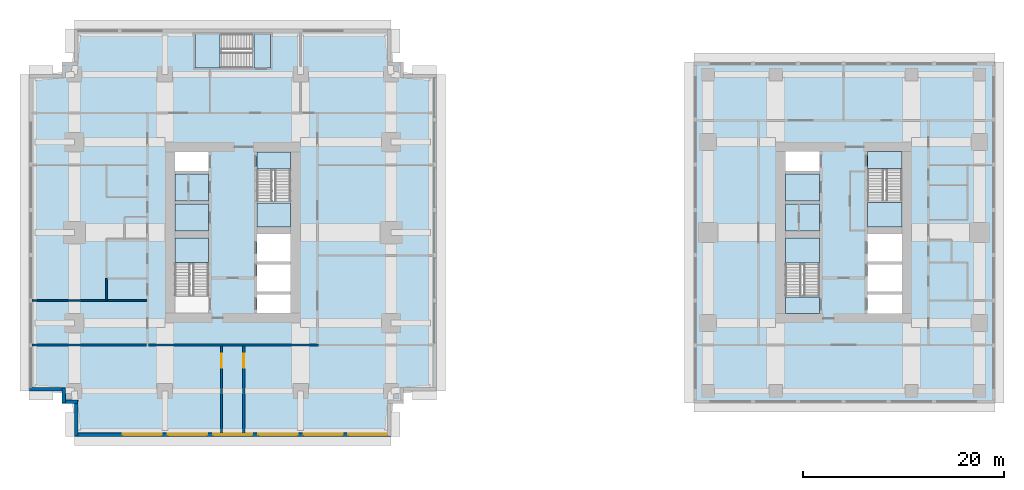
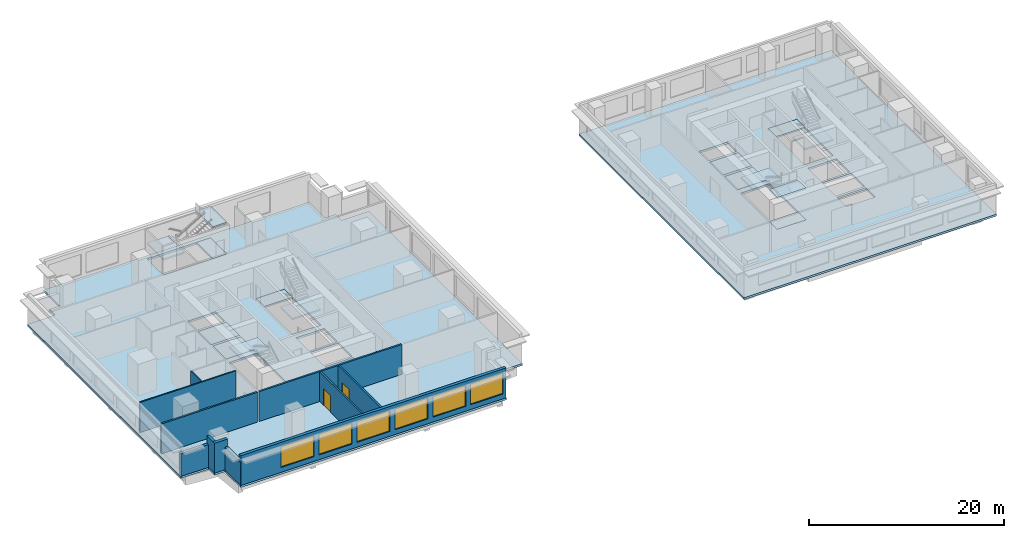
# One storey, part 2 of 10: 17 slabs, 11 walls, 6 windows, 2 doors, 8 openings, 5 elements without a shape of their own.
"""IFC4 building model written with IfcOpenShell, lengths in metres."""

from ifc_helpers import new_model, si_unit, direction, frame, frame_2d, origin, place, context, subcontext, project, spatial, polyline, rectangle, outline, extrude, material, layer, layer_set, type_object, element, fill, aggregate, save


model = new_model("IFC4")

# Units and contexts
model_context = context("Model", 3, precision=1e-05, world=origin(), true_north=direction((0.0, 1.0)))
body_context = subcontext(model_context, "Body", "Model", "MODEL_VIEW")
ifc_project = project(units=[si_unit("LENGTHUNIT", "METRE"), si_unit("AREAUNIT", "SQUARE_METRE"), si_unit("VOLUMEUNIT", "CUBIC_METRE"), si_unit("PLANEANGLEUNIT", "RADIAN"), si_unit("MASSUNIT", "GRAM", prefix="KILO")], contexts=[model_context])

# Site, building, storey
site_placement = place(None, origin())
site = spatial("IfcSite", under=ifc_project, at=site_placement, CompositionType="ELEMENT")
building_placement = place(site_placement, origin())
building = spatial("IfcBuilding", under=site, at=building_placement, Name="Namib Vertical Campus", CompositionType="ELEMENT")
storey_placement = place(building_placement, frame((0.0, 0.0, 229.0)))
storey = spatial("IfcBuildingStorey", under=building, at=storey_placement, Name="L54", CompositionType="ELEMENT", Elevation=229.0)

# Slabs
ifc_material_1 = material(Name="Concrete C40/50", Category="concrete")
ifc_layer_1 = layer(ifc_material_1, 0.25)
ifc_layer_set_1 = layer_set([ifc_layer_1], Name="Concrete C40/50")
slab_type_1 = type_object("IfcSlabType", Name="Floor slab 250", PredefinedType="FLOOR", material=ifc_layer_set_1)
slab_1_placement = place(storey_placement, frame((0.0, 0.0, -0.25)))
element("IfcSlab", 1, at=slab_1_placement, inside=storey, type_object=slab_type_1, Name="Floor slab A L54", PredefinedType="FLOOR", context=body_context, shape_type="SweptSolid", body=[
    extrude(outline(polyline([(4.5, 0.0), (36.0, 0.0), (36.0, 3.27490234375), (37.22509765625, 3.27490234375), (37.22509765625, 4.5), (40.5, 4.5), (40.5, 36.0), (37.22509765625, 36.0), (37.22509765625, 37.22509765625), (36.0, 37.22509765625), (36.0, 40.5), (4.5, 40.5), (4.5, 37.22509765625), (3.27490234375, 37.22509765625), (3.27490234375, 36.0), (0.0, 36.0), (0.0, 4.5), (3.27490234375, 4.5), (3.27490234375, 3.27490234375), (4.5, 3.27490234375), (4.5, 0.0)]), holes=[polyline([(14.5, 12.25), (17.85009765625, 12.25), (17.85009765625, 19.699951171875), (14.5, 19.699951171875), (14.5, 12.25)]), polyline([(22.64990234375, 20.800048828125), (26.0, 20.800048828125), (26.0, 28.25), (22.64990234375, 28.25), (22.64990234375, 20.800048828125)]), polyline([(22.64990234375, 12.25), (26.0, 12.25), (26.0, 14.10009765625), (22.64990234375, 14.10009765625), (22.64990234375, 12.25)]), polyline([(14.5, 20.39990234375), (17.85009765625, 20.39990234375), (17.85009765625, 23.10009765625), (14.5, 23.10009765625), (14.5, 20.39990234375)]), polyline([(14.5, 23.39990234375), (17.85009765625, 23.39990234375), (17.85009765625, 26.10009765625), (14.5, 26.10009765625), (14.5, 23.39990234375)]), polyline([(14.5, 26.39990234375), (17.85009765625, 26.39990234375), (17.85009765625, 28.25), (14.5, 28.25), (14.5, 26.39990234375)]), polyline([(22.64990234375, 14.39990234375), (26.0, 14.39990234375), (26.0, 17.10009765625), (22.64990234375, 17.10009765625), (22.64990234375, 14.39990234375)]), polyline([(22.64990234375, 17.39990234375), (26.0, 17.39990234375), (26.0, 20.10009765625), (22.64990234375, 20.10009765625), (22.64990234375, 17.39990234375)]), polyline([(16.5, 36.64990234375), (24.0, 36.64990234375), (24.0, 40.0), (16.5, 40.0), (16.5, 36.64990234375)])]), origin(), (0.0, 0.0, 1.0), 0.25),
])
slab_2_placement = place(storey_placement, frame((0.0, 0.0, -0.25)))
element("IfcSlab", 2, at=slab_2_placement, inside=storey, type_object=slab_type_1, Name="Floor slab B L54", PredefinedType="FLOOR", context=body_context, shape_type="SweptSolid", body=[
    extrude(outline(polyline([(66.10009765625, 3.300048828125), (96.050048828125, 3.300048828125), (96.050048828125, 37.199951171875), (66.10009765625, 37.199951171875), (66.10009765625, 3.300048828125)]), holes=[polyline([(75.199951171875, 12.199951171875), (78.60009765625, 12.199951171875), (78.60009765625, 19.699951171875), (75.199951171875, 19.699951171875), (75.199951171875, 12.199951171875)]), polyline([(83.39990234375, 20.800048828125), (86.800048828125, 20.800048828125), (86.800048828125, 28.300048828125), (83.39990234375, 28.300048828125), (83.39990234375, 20.800048828125)]), polyline([(83.39990234375, 12.199951171875), (86.800048828125, 12.199951171875), (86.800048828125, 14.10009765625), (83.39990234375, 14.10009765625), (83.39990234375, 12.199951171875)]), polyline([(75.199951171875, 20.39990234375), (78.60009765625, 20.39990234375), (78.60009765625, 23.10009765625), (75.199951171875, 23.10009765625), (75.199951171875, 20.39990234375)]), polyline([(75.199951171875, 23.39990234375), (78.60009765625, 23.39990234375), (78.60009765625, 26.10009765625), (75.199951171875, 26.10009765625), (75.199951171875, 23.39990234375)]), polyline([(75.199951171875, 26.39990234375), (78.60009765625, 26.39990234375), (78.60009765625, 28.300048828125), (75.199951171875, 28.300048828125), (75.199951171875, 26.39990234375)]), polyline([(83.39990234375, 14.39990234375), (86.800048828125, 14.39990234375), (86.800048828125, 17.10009765625), (83.39990234375, 17.10009765625), (83.39990234375, 14.39990234375)]), polyline([(83.39990234375, 17.39990234375), (86.800048828125, 17.39990234375), (86.800048828125, 20.10009765625), (83.39990234375, 20.10009765625), (83.39990234375, 17.39990234375)])]), origin(), (0.0, 0.0, 1.0), 0.25),
])
ifc_material_2 = material(Name="Concrete C40/50 precast", Category="concrete")
ifc_layer_2 = layer(ifc_material_2, 0.25)
ifc_layer_set_2 = layer_set([ifc_layer_2], Name="Concrete C40/50 precast")
slab_type_2 = type_object("IfcSlabType", Name="Shaft infill floor 250", PredefinedType="FLOOR", material=ifc_layer_set_2)
slab_3_placement = place(storey_placement, frame((0.0, 0.0, -0.25)))
element("IfcSlab", 3, at=slab_3_placement, inside=storey, type_object=slab_type_2, Name="Shaft infill floor A L54 P1", PredefinedType="FLOOR", context=body_context, shape_type="SweptSolid", body=[
    extrude(outline(polyline([(14.5, 20.39990234375), (17.85009765625, 20.39990234375), (17.85009765625, 23.10009765625), (14.5, 23.10009765625), (14.5, 20.39990234375)])), origin(), (0.0, 0.0, 1.0), 0.25),
])
slab_4_placement = place(storey_placement, frame((0.0, 0.0, -0.25)))
element("IfcSlab", 4, at=slab_4_placement, inside=storey, type_object=slab_type_2, Name="Shaft infill floor A L54 P2", PredefinedType="FLOOR", context=body_context, shape_type="SweptSolid", body=[
    extrude(outline(polyline([(14.5, 23.39990234375), (17.85009765625, 23.39990234375), (17.85009765625, 26.10009765625), (14.5, 26.10009765625), (14.5, 23.39990234375)])), origin(), (0.0, 0.0, 1.0), 0.25),
])
slab_5_placement = place(storey_placement, frame((0.0, 0.0, -0.25)))
element("IfcSlab", 5, at=slab_5_placement, inside=storey, type_object=slab_type_2, Name="Shaft infill floor B L54 P1", PredefinedType="FLOOR", context=body_context, shape_type="SweptSolid", body=[
    extrude(outline(polyline([(75.199951171875, 20.39990234375), (78.60009765625, 20.39990234375), (78.60009765625, 23.10009765625), (75.199951171875, 23.10009765625), (75.199951171875, 20.39990234375)])), origin(), (0.0, 0.0, 1.0), 0.25),
])
slab_6_placement = place(storey_placement, frame((0.0, 0.0, -0.25)))
element("IfcSlab", 6, at=slab_6_placement, inside=storey, type_object=slab_type_2, Name="Shaft infill floor B L54 P2", PredefinedType="FLOOR", context=body_context, shape_type="SweptSolid", body=[
    extrude(outline(polyline([(75.199951171875, 23.39990234375), (78.60009765625, 23.39990234375), (78.60009765625, 26.10009765625), (75.199951171875, 26.10009765625), (75.199951171875, 23.39990234375)])), origin(), (0.0, 0.0, 1.0), 0.25),
])

# Stair, slab
ifc_material_3 = material(Name="Concrete C40/50 precast", Category="concrete")
stair_type_1 = type_object("IfcStairType", Name="Exit stair 4000 rise 24 risers 3350 wide", PredefinedType="HALF_TURN_STAIR", material=ifc_material_3)
stair_1_placement = place(storey_placement, origin())
stair_1 = element("IfcStair", 7, at=stair_1_placement, inside=storey, type_object=stair_type_1, Name="Exit stair A-S1 L54", PredefinedType="HALF_TURN_STAIR")
ifc_material_4 = material(Name="Concrete C40/50", Category="concrete")
ifc_layer_3 = layer(ifc_material_4, 0.199951171875)
ifc_layer_set_3 = layer_set([ifc_layer_3], Name="Concrete C40/50")
slab_type_3 = type_object("IfcSlabType", Name="Stair landing 200", PredefinedType="LANDING", material=ifc_layer_set_3)
slab_7_placement = place(storey_placement, frame((0.0, 0.0, 1.800048828125)))
slab_7 = element("IfcSlab", 8, at=slab_7_placement, type_object=slab_type_3, Name="A-S1 landing 2", PredefinedType="LANDING", context=body_context, shape_type="SweptSolid", body=[
    extrude(outline(polyline([(14.5, 17.276123046875), (17.85009765625, 17.276123046875), (17.85009765625, 19.699951171875), (14.5, 19.699951171875), (14.5, 17.276123046875)])), origin(), (0.0, 0.0, 1.0), 0.199951171875),
])
aggregate(stair_1, [slab_7])

# Stair, slabs
stair_2_placement = place(storey_placement, origin())
stair_2 = element("IfcStair", 9, at=stair_2_placement, inside=storey, type_object=stair_type_1, Name="Exit stair A-S2 L54", PredefinedType="HALF_TURN_STAIR")
slab_8_placement = place(storey_placement, frame((0.0, 0.0, -0.199951171875)))
slab_8 = element("IfcSlab", 10, at=slab_8_placement, type_object=slab_type_3, Name="A-S2 landing 1", PredefinedType="LANDING", context=body_context, shape_type="SweptSolid", body=[
    extrude(outline(polyline([(22.64990234375, 26.59619140625), (26.0, 26.59619140625), (26.0, 28.25), (22.64990234375, 28.25), (22.64990234375, 26.59619140625)])), origin(), (0.0, 0.0, 1.0), 0.199951171875),
])
slab_9_placement = place(storey_placement, frame((0.0, 0.0, 1.800048828125)))
slab_9 = element("IfcSlab", 11, at=slab_9_placement, type_object=slab_type_3, Name="A-S2 landing 2", PredefinedType="LANDING", context=body_context, shape_type="SweptSolid", body=[
    extrude(outline(polyline([(22.64990234375, 20.800048828125), (26.0, 20.800048828125), (26.0, 23.223876953125), (22.64990234375, 23.223876953125), (22.64990234375, 20.800048828125)])), origin(), (0.0, 0.0, 1.0), 0.199951171875),
])
aggregate(stair_2, [slab_8, slab_9])

ifc_material_5 = material(Name="Concrete C40/50 precast", Category="concrete")
stair_type_2 = type_object("IfcStairType", Name="Exit stair 4000 rise 24 risers 3400 wide", PredefinedType="HALF_TURN_STAIR", material=ifc_material_5)
stair_3_placement = place(storey_placement, origin())
stair_3 = element("IfcStair", 12, at=stair_3_placement, inside=storey, type_object=stair_type_2, Name="Exit stair B-S1 L54", PredefinedType="HALF_TURN_STAIR")
slab_10_placement = place(storey_placement, frame((0.0, 0.0, -0.199951171875)))
slab_10 = element("IfcSlab", 13, at=slab_10_placement, type_object=slab_type_3, Name="B-S1 landing 1", PredefinedType="LANDING", context=body_context, shape_type="SweptSolid", body=[
    extrude(outline(polyline([(75.199951171875, 12.199951171875), (78.60009765625, 12.199951171875), (78.60009765625, 13.85400390625), (75.199951171875, 13.85400390625), (75.199951171875, 12.199951171875)])), origin(), (0.0, 0.0, 1.0), 0.199951171875),
])
slab_11_placement = place(storey_placement, frame((0.0, 0.0, 1.800048828125)))
slab_11 = element("IfcSlab", 14, at=slab_11_placement, type_object=slab_type_3, Name="B-S1 landing 2", PredefinedType="LANDING", context=body_context, shape_type="SweptSolid", body=[
    extrude(outline(polyline([(75.199951171875, 17.22607421875), (78.60009765625, 17.22607421875), (78.60009765625, 19.699951171875), (75.199951171875, 19.699951171875), (75.199951171875, 17.22607421875)])), origin(), (0.0, 0.0, 1.0), 0.199951171875),
])
slab_12_placement = place(storey_placement, frame((0.0, 0.0, 3.800048828125)))
slab_12 = element("IfcSlab", 15, at=slab_12_placement, type_object=slab_type_3, Name="B-S1 landing 3", PredefinedType="LANDING", context=body_context, shape_type="SweptSolid", body=[
    extrude(outline(polyline([(75.199951171875, 12.199951171875), (78.60009765625, 12.199951171875), (78.60009765625, 13.85400390625), (75.199951171875, 13.85400390625), (75.199951171875, 12.199951171875)])), origin(), (0.0, 0.0, 1.0), 0.199951171875),
])
aggregate(stair_3, [slab_10, slab_11, slab_12])

stair_4_placement = place(storey_placement, origin())
stair_4 = element("IfcStair", 16, at=stair_4_placement, inside=storey, type_object=stair_type_2, Name="Exit stair B-S2 L54", PredefinedType="HALF_TURN_STAIR")
slab_13_placement = place(storey_placement, frame((0.0, 0.0, -0.199951171875)))
slab_13 = element("IfcSlab", 17, at=slab_13_placement, type_object=slab_type_3, Name="B-S2 landing 1", PredefinedType="LANDING", context=body_context, shape_type="SweptSolid", body=[
    extrude(outline(polyline([(83.39990234375, 26.64599609375), (86.800048828125, 26.64599609375), (86.800048828125, 28.300048828125), (83.39990234375, 28.300048828125), (83.39990234375, 26.64599609375)])), origin(), (0.0, 0.0, 1.0), 0.199951171875),
])
slab_14_placement = place(storey_placement, frame((0.0, 0.0, 1.800048828125)))
slab_14 = element("IfcSlab", 18, at=slab_14_placement, type_object=slab_type_3, Name="B-S2 landing 2", PredefinedType="LANDING", context=body_context, shape_type="SweptSolid", body=[
    extrude(outline(polyline([(83.39990234375, 20.800048828125), (86.800048828125, 20.800048828125), (86.800048828125, 23.27392578125), (83.39990234375, 23.27392578125), (83.39990234375, 20.800048828125)])), origin(), (0.0, 0.0, 1.0), 0.199951171875),
])
aggregate(stair_4, [slab_13, slab_14])

stair_5_placement = place(storey_placement, origin())
stair_5 = element("IfcStair", 19, at=stair_5_placement, inside=storey, type_object=stair_type_1, Name="Exit stair A-S3 L54", PredefinedType="HALF_TURN_STAIR")
slab_15_placement = place(storey_placement, frame((0.0, 0.0, -0.199951171875)))
slab_15 = element("IfcSlab", 20, at=slab_15_placement, type_object=slab_type_3, Name="A-S3 landing 1", PredefinedType="LANDING", context=body_context, shape_type="SweptSolid", body=[
    extrude(outline(polyline([(22.34619140625, 36.64990234375), (22.34619140625, 40.0), (24.0, 40.0), (24.0, 36.64990234375), (22.34619140625, 36.64990234375)])), origin(), (0.0, 0.0, 1.0), 0.199951171875),
])
slab_16_placement = place(storey_placement, frame((0.0, 0.0, 1.800048828125)))
slab_16 = element("IfcSlab", 21, at=slab_16_placement, type_object=slab_type_3, Name="A-S3 landing 2", PredefinedType="LANDING", context=body_context, shape_type="SweptSolid", body=[
    extrude(outline(polyline([(16.5, 36.64990234375), (16.5, 40.0), (18.973876953125, 40.0), (18.973876953125, 36.64990234375), (16.5, 36.64990234375)])), origin(), (0.0, 0.0, 1.0), 0.199951171875),
])
slab_17_placement = place(storey_placement, frame((0.0, 0.0, 3.800048828125)))
slab_17 = element("IfcSlab", 22, at=slab_17_placement, type_object=slab_type_3, Name="A-S3 landing 3", PredefinedType="LANDING", context=body_context, shape_type="SweptSolid", body=[
    extrude(outline(polyline([(22.34619140625, 36.64990234375), (22.34619140625, 40.0), (24.0, 40.0), (24.0, 36.64990234375), (22.34619140625, 36.64990234375)])), origin(), (0.0, 0.0, 1.0), 0.199951171875),
])
aggregate(stair_5, [slab_15, slab_16, slab_17])

# Wall
ifc_material_6 = material(Name="Concrete masonry", Category="masonry")
ifc_layer_4 = layer(ifc_material_6, 0.199951171875)
ifc_layer_set_4 = layer_set([ifc_layer_4], Name="Corridor wall 200")
wall_type_1 = type_object("IfcWallType", Name="Corridor wall 200", PredefinedType="SOLIDWALL", material=ifc_layer_set_4)
wall_1_placement = place(storey_placement, frame((11.89990234375, 9.10009765625, 0.0), z_axis=(0.0, 0.0, 1.0), x_axis=(1.0, 0.0, 0.0)))
element("IfcWall", 23, at=wall_1_placement, inside=storey, type_object=wall_type_1, Name="Corridor wall A L54 CS", PredefinedType="SOLIDWALL", context=body_context, shape_type="SweptSolid", body=[
    extrude(rectangle(XDim=16.900146484375, YDim=0.199951171875, at=frame_2d((8.4501953125, 0.0))), origin(), (0.0, 0.0, 1.0), 3.75),
])

# Wall, opening, door
wall_2_placement = place(storey_placement, frame((19.14990234375, 0.300048828125, 0.0), z_axis=(0.0, 0.0, 1.0), x_axis=(0.0, 1.0, 0.0)))
wall_2 = element("IfcWall", 24, at=wall_2_placement, inside=storey, type_object=wall_type_1, Name="Corridor wall A L54 SPS1", PredefinedType="SOLIDWALL", context=body_context, shape_type="SweptSolid", body=[
    extrude(rectangle(XDim=8.699951171875, YDim=0.199951171875, at=frame_2d((4.35009765625, 0.0))), origin(), (0.0, 0.0, 1.0), 3.75),
])
opening_1_placement = place(wall_2_placement, frame((6.5, 0.0, 0.0)))
opening_1 = element("IfcOpeningElement", 25, at=opening_1_placement, cuts=wall_2, Name="Opening LB1", PredefinedType="OPENING", context=body_context, shape_type="SweptSolid", body=[
    extrude(rectangle(XDim=1.39990234375, YDim=2.10009765625, at=frame_2d((0.699951171875, 1.050048828125))), frame((0.0, 0.10986328125, 0.0), z_axis=(0.0, -1.0, 0.0), x_axis=(1.0, 0.0, 0.0)), (0.0, 0.0, 1.0), 0.219970703125),
])
ifc_material_7 = material(Name="Timber fire door leaf", Category="wood")
door_type = type_object("IfcDoorType", Name="Laboratory door 1400x2100 leaf and a half", OperationType="DOUBLE_DOOR_SINGLE_SWING", PredefinedType="DOOR", material=ifc_material_7)
door_1_placement = place(opening_1_placement, origin())
door_1 = element("IfcDoor", 26, at=door_1_placement, inside=storey, type_object=door_type, Name="Door LB1 A54-01", OperationType="DOUBLE_DOOR_SINGLE_SWING", OverallHeight=2.10009765625, OverallWidth=1.39990234375, PredefinedType="DOOR", context=body_context, shape_type="SweptSolid", body=[
    extrude(rectangle(XDim=1.39990234375, YDim=2.10009765625, at=frame_2d((0.699951171875, 1.050048828125))), frame((0.0, 0.02490234375, 0.0), z_axis=(0.0, -1.0, 0.0), x_axis=(1.0, 0.0, 0.0)), (0.0, 0.0, 1.0), 0.050048828125),
])
fill(opening_1, door_1)

wall_3_placement = place(storey_placement, frame((21.35009765625, 9.0, 0.0), z_axis=(0.0, 0.0, 1.0), x_axis=(0.0, -1.0, 0.0)))
wall_3 = element("IfcWall", 27, at=wall_3_placement, inside=storey, type_object=wall_type_1, Name="Corridor wall A L54 SPS2", PredefinedType="SOLIDWALL", context=body_context, shape_type="SweptSolid", body=[
    extrude(rectangle(XDim=8.699951171875, YDim=0.199951171875, at=frame_2d((4.35009765625, 0.0))), origin(), (0.0, 0.0, 1.0), 3.75),
])
opening_2_placement = place(wall_3_placement, frame((0.800048828125, 0.0, 0.0)))
opening_2 = element("IfcOpeningElement", 28, at=opening_2_placement, cuts=wall_3, Name="Opening LB1", PredefinedType="OPENING", context=body_context, shape_type="SweptSolid", body=[
    extrude(rectangle(XDim=1.39990234375, YDim=2.10009765625, at=frame_2d((0.699951171875, 1.050048828125))), frame((0.0, 0.10986328125, 0.0), z_axis=(0.0, -1.0, 0.0), x_axis=(1.0, 0.0, 0.0)), (0.0, 0.0, 1.0), 0.219970703125),
])
door_2_placement = place(opening_2_placement, origin())
door_2 = element("IfcDoor", 29, at=door_2_placement, inside=storey, type_object=door_type, Name="Door LB1 A54-02", OperationType="DOUBLE_DOOR_SINGLE_SWING", OverallHeight=2.10009765625, OverallWidth=1.39990234375, PredefinedType="DOOR", context=body_context, shape_type="SweptSolid", body=[
    extrude(rectangle(XDim=1.39990234375, YDim=2.10009765625, at=frame_2d((0.699951171875, 1.050048828125))), frame((0.0, 0.02490234375, 0.0), z_axis=(0.0, -1.0, 0.0), x_axis=(1.0, 0.0, 0.0)), (0.0, 0.0, 1.0), 0.050048828125),
])
fill(opening_2, door_2)

# Wall
wall_4_placement = place(storey_placement, frame((0.300048828125, 9.10009765625, 0.0), z_axis=(0.0, 0.0, 1.0), x_axis=(1.0, 0.0, 0.0)))
element("IfcWall", 30, at=wall_4_placement, inside=storey, type_object=wall_type_1, Name="Partition A L54 BSW", PredefinedType="SOLIDWALL", context=body_context, shape_type="SweptSolid", body=[
    extrude(rectangle(XDim=11.39990234375, YDim=0.199951171875, at=frame_2d((5.699951171875, 0.0))), origin(), (0.0, 0.0, 1.0), 3.75),
])

# Wall, openings, windows
ifc_material_8 = material(Name="Concrete C40/50", Category="concrete")
ifc_layer_5 = layer(ifc_material_8, 0.35009765625)
ifc_layer_set_5 = layer_set([ifc_layer_5], Name="Concrete C40/50")
wall_type_2 = type_object("IfcWallType", Name="External wall 350 bush-hammered concrete", PredefinedType="STANDARD", material=ifc_layer_set_5)
wall_5_placement = place(storey_placement, frame((4.52001953125, 0.175048828125, 0.0), z_axis=(0.0, 0.0, 1.0), x_axis=(1.0, 0.0, 0.0)))
wall_5 = element("IfcWall", 31, at=wall_5_placement, inside=storey, type_object=wall_type_2, Name="External wall L54 F01", PredefinedType="STANDARD", context=body_context, shape_type="SweptSolid", body=[
    extrude(rectangle(XDim=31.4599609375, YDim=0.35009765625, at=frame_2d((15.72998046875, 0.0))), origin(), (0.0, 0.0, 1.0), 3.75),
])
opening_3_placement = place(wall_5_placement, frame((4.780029296875, 0.0, 0.60009765625)))
opening_3 = element("IfcOpeningElement", 32, at=opening_3_placement, cuts=wall_5, Name="Opening W2", PredefinedType="OPENING", context=body_context, shape_type="SweptSolid", body=[
    extrude(rectangle(XDim=3.89990234375, YDim=2.60009765625, at=frame_2d((1.949951171875, 1.300048828125))), frame((0.0, 0.18505859375, 0.0), z_axis=(0.0, -1.0, 0.0), x_axis=(1.0, 0.0, 0.0)), (0.0, 0.0, 1.0), 0.3701171875),
])
opening_4_placement = place(wall_5_placement, frame((9.280029296875, 0.0, 0.60009765625)))
opening_4 = element("IfcOpeningElement", 33, at=opening_4_placement, cuts=wall_5, Name="Opening W2", PredefinedType="OPENING", context=body_context, shape_type="SweptSolid", body=[
    extrude(rectangle(XDim=3.89990234375, YDim=2.60009765625, at=frame_2d((1.949951171875, 1.300048828125))), frame((0.0, 0.18505859375, 0.0), z_axis=(0.0, -1.0, 0.0), x_axis=(1.0, 0.0, 0.0)), (0.0, 0.0, 1.0), 0.3701171875),
])
opening_5_placement = place(wall_5_placement, frame((13.780029296875, 0.0, 0.60009765625)))
opening_5 = element("IfcOpeningElement", 34, at=opening_5_placement, cuts=wall_5, Name="Opening W2", PredefinedType="OPENING", context=body_context, shape_type="SweptSolid", body=[
    extrude(rectangle(XDim=3.89990234375, YDim=2.60009765625, at=frame_2d((1.949951171875, 1.300048828125))), frame((0.0, 0.18505859375, 0.0), z_axis=(0.0, -1.0, 0.0), x_axis=(1.0, 0.0, 0.0)), (0.0, 0.0, 1.0), 0.3701171875),
])
opening_6_placement = place(wall_5_placement, frame((18.280029296875, 0.0, 0.60009765625)))
opening_6 = element("IfcOpeningElement", 35, at=opening_6_placement, cuts=wall_5, Name="Opening W2", PredefinedType="OPENING", context=body_context, shape_type="SweptSolid", body=[
    extrude(rectangle(XDim=3.89990234375, YDim=2.60009765625, at=frame_2d((1.949951171875, 1.300048828125))), frame((0.0, 0.18505859375, 0.0), z_axis=(0.0, -1.0, 0.0), x_axis=(1.0, 0.0, 0.0)), (0.0, 0.0, 1.0), 0.3701171875),
])
opening_7_placement = place(wall_5_placement, frame((22.780029296875, 0.0, 0.60009765625)))
opening_7 = element("IfcOpeningElement", 36, at=opening_7_placement, cuts=wall_5, Name="Opening W2", PredefinedType="OPENING", context=body_context, shape_type="SweptSolid", body=[
    extrude(rectangle(XDim=3.89990234375, YDim=2.60009765625, at=frame_2d((1.949951171875, 1.300048828125))), frame((0.0, 0.18505859375, 0.0), z_axis=(0.0, -1.0, 0.0), x_axis=(1.0, 0.0, 0.0)), (0.0, 0.0, 1.0), 0.3701171875),
])
opening_8_placement = place(wall_5_placement, frame((27.2099609375, 0.0, 0.60009765625)))
opening_8 = element("IfcOpeningElement", 37, at=opening_8_placement, cuts=wall_5, Name="Opening W2", PredefinedType="OPENING", context=body_context, shape_type="SweptSolid", body=[
    extrude(rectangle(XDim=3.89990234375, YDim=2.60009765625, at=frame_2d((1.949951171875, 1.300048828125))), frame((0.0, 0.18505859375, 0.0), z_axis=(0.0, -1.0, 0.0), x_axis=(1.0, 0.0, 0.0)), (0.0, 0.0, 1.0), 0.3701171875),
])
ifc_material_9 = material(Name="Dark tinted glass in black aluminium frame", Category="aluminium")
window_type = type_object("IfcWindowType", Name="Ribbon window 3900x2600", PartitioningType="SINGLE_PANEL", PredefinedType="WINDOW", material=ifc_material_9)
window_1_placement = place(opening_3_placement, origin())
window_1 = element("IfcWindow", 38, at=window_1_placement, inside=storey, type_object=window_type, Name="Window W2 L54 F01-2", OverallHeight=2.60009765625, OverallWidth=3.89990234375, PartitioningType="SINGLE_PANEL", PredefinedType="WINDOW", context=body_context, shape_type="SweptSolid", body=[
    extrude(rectangle(XDim=3.89990234375, YDim=2.60009765625, at=frame_2d((1.949951171875, 1.300048828125))), frame((0.0, 0.030029296875, 0.0), z_axis=(0.0, -1.0, 0.0), x_axis=(1.0, 0.0, 0.0)), (0.0, 0.0, 1.0), 0.06005859375),
])
fill(opening_3, window_1)
window_2_placement = place(opening_4_placement, origin())
window_2 = element("IfcWindow", 39, at=window_2_placement, inside=storey, type_object=window_type, Name="Window W2 L54 F01-3", OverallHeight=2.60009765625, OverallWidth=3.89990234375, PartitioningType="SINGLE_PANEL", PredefinedType="WINDOW", context=body_context, shape_type="SweptSolid", body=[
    extrude(rectangle(XDim=3.89990234375, YDim=2.60009765625, at=frame_2d((1.949951171875, 1.300048828125))), frame((0.0, 0.030029296875, 0.0), z_axis=(0.0, -1.0, 0.0), x_axis=(1.0, 0.0, 0.0)), (0.0, 0.0, 1.0), 0.06005859375),
])
fill(opening_4, window_2)
window_3_placement = place(opening_5_placement, origin())
window_3 = element("IfcWindow", 40, at=window_3_placement, inside=storey, type_object=window_type, Name="Window W2 L54 F01-4", OverallHeight=2.60009765625, OverallWidth=3.89990234375, PartitioningType="SINGLE_PANEL", PredefinedType="WINDOW", context=body_context, shape_type="SweptSolid", body=[
    extrude(rectangle(XDim=3.89990234375, YDim=2.60009765625, at=frame_2d((1.949951171875, 1.300048828125))), frame((0.0, 0.030029296875, 0.0), z_axis=(0.0, -1.0, 0.0), x_axis=(1.0, 0.0, 0.0)), (0.0, 0.0, 1.0), 0.06005859375),
])
fill(opening_5, window_3)
window_4_placement = place(opening_6_placement, origin())
window_4 = element("IfcWindow", 41, at=window_4_placement, inside=storey, type_object=window_type, Name="Window W2 L54 F01-5", OverallHeight=2.60009765625, OverallWidth=3.89990234375, PartitioningType="SINGLE_PANEL", PredefinedType="WINDOW", context=body_context, shape_type="SweptSolid", body=[
    extrude(rectangle(XDim=3.89990234375, YDim=2.60009765625, at=frame_2d((1.949951171875, 1.300048828125))), frame((0.0, 0.030029296875, 0.0), z_axis=(0.0, -1.0, 0.0), x_axis=(1.0, 0.0, 0.0)), (0.0, 0.0, 1.0), 0.06005859375),
])
fill(opening_6, window_4)
window_5_placement = place(opening_7_placement, origin())
window_5 = element("IfcWindow", 42, at=window_5_placement, inside=storey, type_object=window_type, Name="Window W2 L54 F01-6", OverallHeight=2.60009765625, OverallWidth=3.89990234375, PartitioningType="SINGLE_PANEL", PredefinedType="WINDOW", context=body_context, shape_type="SweptSolid", body=[
    extrude(rectangle(XDim=3.89990234375, YDim=2.60009765625, at=frame_2d((1.949951171875, 1.300048828125))), frame((0.0, 0.030029296875, 0.0), z_axis=(0.0, -1.0, 0.0), x_axis=(1.0, 0.0, 0.0)), (0.0, 0.0, 1.0), 0.06005859375),
])
fill(opening_7, window_5)
window_6_placement = place(opening_8_placement, origin())
window_6 = element("IfcWindow", 43, at=window_6_placement, inside=storey, type_object=window_type, Name="Window W2 L54 F01-7", OverallHeight=2.60009765625, OverallWidth=3.89990234375, PartitioningType="SINGLE_PANEL", PredefinedType="WINDOW", context=body_context, shape_type="SweptSolid", body=[
    extrude(rectangle(XDim=3.89990234375, YDim=2.60009765625, at=frame_2d((1.949951171875, 1.300048828125))), frame((0.0, 0.030029296875, 0.0), z_axis=(0.0, -1.0, 0.0), x_axis=(1.0, 0.0, 0.0)), (0.0, 0.0, 1.0), 0.06005859375),
])
fill(opening_8, window_6)

# Walls
wall_6_placement = place(storey_placement, frame((0.02001953125, 4.675048828125, 0.0), z_axis=(0.0, 0.0, 1.0), x_axis=(1.0, 0.0, 0.0)))
element("IfcWall", 44, at=wall_6_placement, inside=storey, type_object=wall_type_2, Name="External wall L54 F17", PredefinedType="STANDARD", context=body_context, shape_type="SweptSolid", body=[
    extrude(rectangle(XDim=3.5849609375, YDim=0.35009765625, at=frame_2d((1.79248046875, 0.0))), origin(), (0.0, 0.0, 1.0), 2.85009765625),
])
for number, where, z_axis, x_axis, name in (
    (45, (3.449951171875, 4.830078125, 0.0), (0.0, 0.0, 1.0), (0.0, -1.0, 0.0), "External wall L54 F18"),
    (46, (3.294921875, 3.449951171875, 0.0), (0.0, 0.0, 1.0), (1.0, 0.0, 0.0), "External wall L54 F19"),
):
    element("IfcWall", number, at=place(storey_placement, frame(where, z_axis=z_axis, x_axis=x_axis)), inside=storey, type_object=wall_type_2, Name=name, PredefinedType="STANDARD", context=body_context, shape_type="SweptSolid", body=[
        extrude(rectangle(XDim=1.53515625, YDim=0.35009765625, at=frame_2d((0.767578125, 0.0))), origin(), (0.0, 0.0, 1.0), 3.75),
    ])
wall_7_placement = place(storey_placement, frame((4.675048828125, 3.60498046875, 0.0), z_axis=(0.0, 0.0, 1.0), x_axis=(0.0, -1.0, 0.0)))
element("IfcWall", 47, at=wall_7_placement, inside=storey, type_object=wall_type_2, Name="External wall L54 F20", PredefinedType="STANDARD", context=body_context, shape_type="SweptSolid", body=[
    extrude(rectangle(XDim=3.5849609375, YDim=0.35009765625, at=frame_2d((1.79248046875, 0.0))), origin(), (0.0, 0.0, 1.0), 2.85009765625),
])
ifc_material_10 = material(Name="Gypsum board on steel studs", Category="steel")
ifc_layer_6 = layer(ifc_material_10, 0.14990234375)
ifc_layer_set_6 = layer_set([ifc_layer_6], Name="Gypsum board on steel studs")
wall_type_3 = type_object("IfcWallType", Name="Partition 150", PredefinedType="PARTITIONING", material=ifc_layer_set_6)
wall_8_placement = place(storey_placement, frame((0.300048828125, 13.5, 0.0), z_axis=(0.0, 0.0, 1.0), x_axis=(1.0, 0.0, 0.0)))
element("IfcWall", 48, at=wall_8_placement, inside=storey, type_object=wall_type_3, Name="Partition A L54 PW1", PredefinedType="PARTITIONING", context=body_context, shape_type="SweptSolid", body=[
    extrude(rectangle(XDim=11.39990234375, YDim=0.14990234375, at=frame_2d((5.699951171875, 0.0))), origin(), (0.0, 0.0, 1.0), 3.75),
])
wall_9_placement = place(storey_placement, frame((7.699951171875, 13.5, 0.0), z_axis=(0.0, 0.0, 1.0), x_axis=(0.0, 1.0, 0.0)))
element("IfcWall", 49, at=wall_9_placement, inside=storey, type_object=wall_type_3, Name="Partition A L54 WB1", PredefinedType="PARTITIONING", context=body_context, shape_type="SweptSolid", body=[
    extrude(rectangle(XDim=2.199951171875, YDim=0.14990234375, at=frame_2d((1.10009765625, 0.0))), origin(), (0.0, 0.0, 1.0), 3.75),
])

save(model, "model.ifc")
